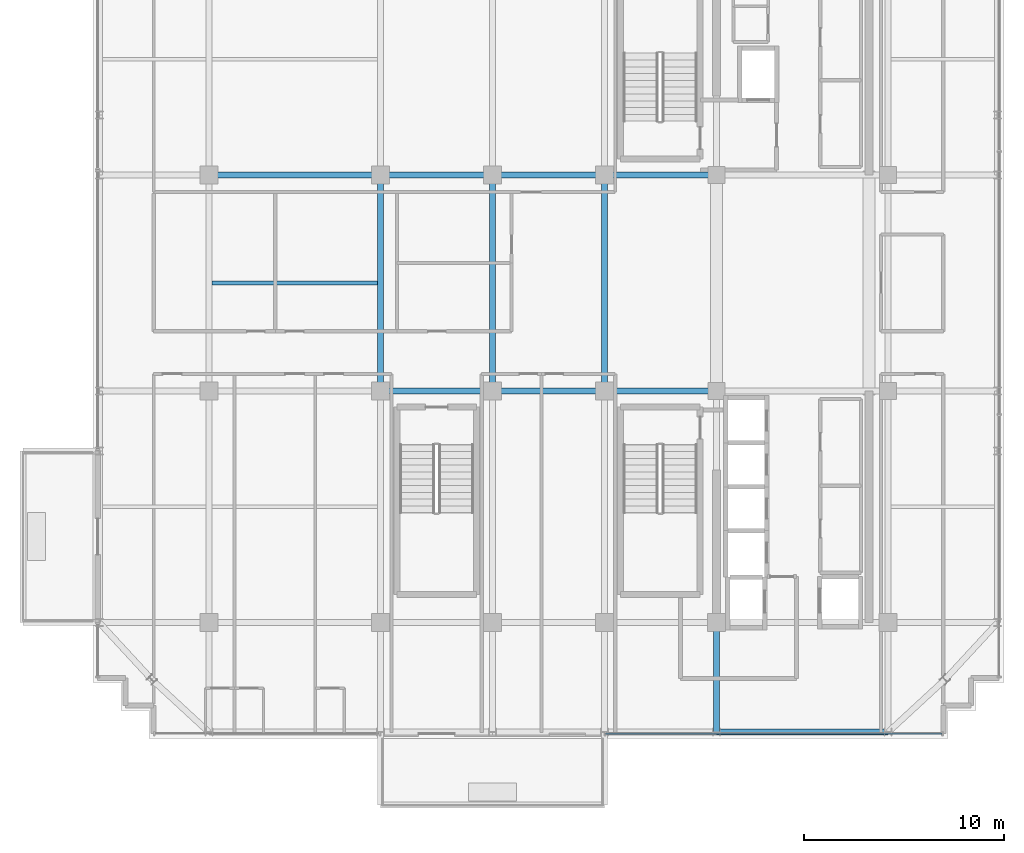
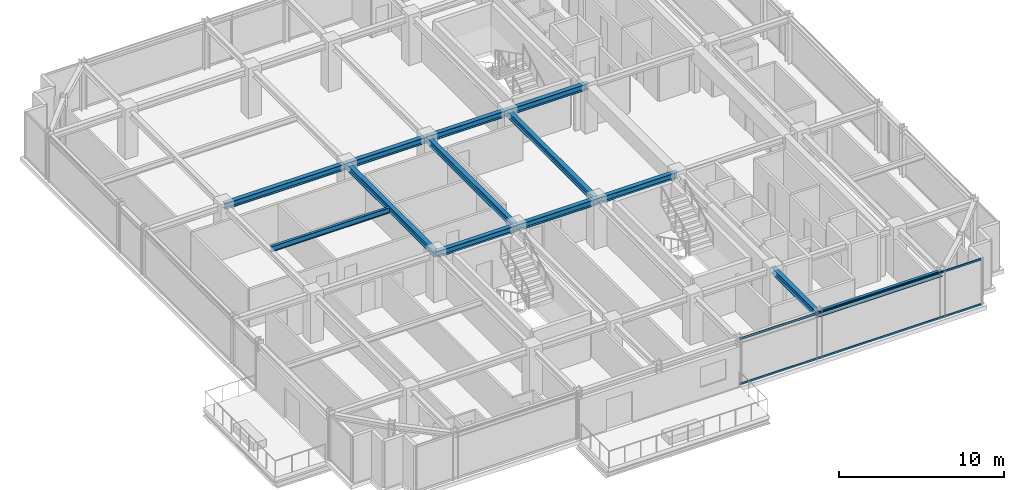
# One storey, part 11 of 31: 13 beams, 2 members, 1 element without a shape of its own.
"""IFC4 building model written with IfcOpenShell, lengths in metres."""

import ifcopenshell
import ifcopenshell.guid

model = None  # the IFC model being written
_history = None  # IfcOwnerHistory: only IFC2X3 demands one
_inside = {}  # id of a spatial element -> (the spatial element, [elements in it])
_under = {}  # id of a project, library or spatial element -> (it, [spatial elements below it])
_declared = {}  # id of a project -> (the project, [libraries it declares])
_typed = {}  # id of a type object -> (the type object, [elements of that type])
_made_of = {}  # id of a material, layer set ... -> (it, [elements and type objects made of it])


def new_model(schema):
    """Start an empty IFC model of exactly this schema.

    Asked for "IFC4X3", IfcOpenShell would pick the latest addendum, in which some entities
    have other attributes; the version numbers below select the first issue.
    IFC2X3 requires an IfcOwnerHistory on every rooted entity: one is made here for all.
    """
    global model, _history
    if schema == "IFC4X3":
        model = ifcopenshell.file(schema_version=(4, 3, 0, 0))
    else:
        model = ifcopenshell.file(schema=schema)
    _inside.clear()
    _under.clear()
    _declared.clear()
    _typed.clear()
    _made_of.clear()
    _history = None
    if model.schema == "IFC2X3":
        org = make("IfcOrganization", Name="unknown")
        user = make(
            "IfcPersonAndOrganization",
            ThePerson=make("IfcPerson", FamilyName="unknown"),
            TheOrganization=org,
        )
        app = make(
            "IfcApplication",
            ApplicationDeveloper=org,
            Version="unknown",
            ApplicationFullName="unknown",
            ApplicationIdentifier="unknown",
        )
        _history = make(
            "IfcOwnerHistory",
            OwningUser=user,
            OwningApplication=app,
            ChangeAction="ADDED",
            CreationDate=0,
        )
    return model


def make(cls, **values):
    """One entity of the class cls with the attributes given. An attribute that is None is left unset."""
    return model.create_entity(
        cls, **{name: value for name, value in values.items() if value is not None}
    )


def rooted(cls, **values):
    """An entity with a GlobalId (a new one), such as an element, a storey or a relation."""
    return make(cls, GlobalId=ifcopenshell.guid.new(), OwnerHistory=_history, **values)


def si_unit(unit_type, name, prefix=None):
    """IfcSIUnit, for example si_unit("LENGTHUNIT", "METRE", prefix="MILLI")."""
    return make("IfcSIUnit", UnitType=unit_type, Prefix=prefix, Name=name)


def assignment(units):
    """IfcUnitAssignment: the units of a project."""
    return None if units is None else make("IfcUnitAssignment", Units=units)


def point(xyz):
    """IfcCartesianPoint."""
    return None if xyz is None else make("IfcCartesianPoint", Coordinates=xyz)


def direction(xyz):
    """IfcDirection."""
    return None if xyz is None else make("IfcDirection", DirectionRatios=xyz)


def frame(location, z_axis=None, x_axis=None):
    """IfcAxis2Placement3D, a coordinate frame: its origin and axes. An axis left out is left unset."""
    return make(
        "IfcAxis2Placement3D",
        Location=point(location),
        Axis=direction(z_axis),
        RefDirection=direction(x_axis),
    )


def frame_2d(location, x_axis=None):
    """IfcAxis2Placement2D, a coordinate frame in the plane: its origin and x axis."""
    return make(
        "IfcAxis2Placement2D", Location=point(location), RefDirection=direction(x_axis)
    )


def origin():
    """The frame at (0, 0, 0) with its axes left unset."""
    return frame((0.0, 0.0, 0.0))


def origin_2d():
    """The frame at (0, 0) in the plane with its x axis left unset."""
    return frame_2d((0.0, 0.0))


def place(relative_to, where):
    """IfcLocalPlacement: puts the frame where relative to a parent placement (None: the world)."""
    return make(
        "IfcLocalPlacement", PlacementRelTo=relative_to, RelativePlacement=where
    )


def context(
    kind, dimensions, precision=None, world=None, true_north=None, identifier=None
):
    """IfcGeometricRepresentationContext, for example the 3D "Model" context."""
    return make(
        "IfcGeometricRepresentationContext",
        ContextIdentifier=identifier,
        ContextType=kind,
        CoordinateSpaceDimension=dimensions,
        Precision=precision,
        WorldCoordinateSystem=world,
        TrueNorth=true_north,
    )


def subcontext(parent, identifier, kind, view, scale=None):
    """IfcGeometricRepresentationSubContext, for example "Body" below "Model"."""
    return make(
        "IfcGeometricRepresentationSubContext",
        ContextIdentifier=identifier,
        ContextType=kind,
        ParentContext=parent,
        TargetScale=scale,
        TargetView=view,
    )


def project(units=None, contexts=None):
    """IfcProject with its units and contexts."""
    return rooted(
        "IfcProject",
        Name="project",
        RepresentationContexts=contexts,
        UnitsInContext=assignment(units),
    )


def spatial(cls, under=None, at=None, **own):
    """A site, building, storey or space (cls), placed at a placement, below another one or the project."""
    s = rooted(cls, ObjectPlacement=at, **own)
    if under is not None:
        _under.setdefault(under.id(), (under, []))[1].append(s)
    return s


def profile(cls, at=None, kind="AREA", **sizes):
    """A parametric profile (cls). Its sizes go by their IFC names, for example OverallWidth=200.0."""
    return make(cls, ProfileType=kind, Position=at, **sizes)


def hollow_rectangle(**sizes):
    """IfcRectangleHollowProfileDef."""
    return profile("IfcRectangleHollowProfileDef", **sizes)


def i_section(**sizes):
    """IfcIShapeProfileDef."""
    return profile("IfcIShapeProfileDef", **sizes)


def extrude(swept, where, along, depth):
    """IfcExtrudedAreaSolid: the profile swept, set in the frame where, extruded along a direction by depth."""
    return make(
        "IfcExtrudedAreaSolid",
        SweptArea=swept,
        Position=where,
        ExtrudedDirection=direction(along),
        Depth=depth,
    )


def shape(context_of_items, identifier, shape_type, items):
    """IfcShapeRepresentation: the items that make up one representation, for example the "Body"."""
    return make(
        "IfcShapeRepresentation",
        ContextOfItems=context_of_items,
        RepresentationIdentifier=identifier,
        RepresentationType=shape_type,
        Items=items,
    )


def source(mapping_origin, context_of_items, identifier, shape_type, items):
    """IfcRepresentationMap: a shape defined once, which mapped items show again and again."""
    return make(
        "IfcRepresentationMap",
        MappingOrigin=mapping_origin,
        MappedRepresentation=shape(context_of_items, identifier, shape_type, items),
    )


def transform(
    local_origin,
    x_axis=None,
    y_axis=None,
    z_axis=None,
    scale=None,
    scale2=None,
    scale3=None,
    uniform=True,
):
    """IfcCartesianTransformationOperator3D, or its non-uniform kind. x_axis, y_axis, z_axis: its Axis1, 2, 3."""
    if uniform:
        return make(
            "IfcCartesianTransformationOperator3D",
            Axis1=direction(x_axis),
            Axis2=direction(y_axis),
            LocalOrigin=point(local_origin),
            Scale=scale,
            Axis3=direction(z_axis),
        )
    return make(
        "IfcCartesianTransformationOperator3DnonUniform",
        Axis1=direction(x_axis),
        Axis2=direction(y_axis),
        LocalOrigin=point(local_origin),
        Scale=scale,
        Axis3=direction(z_axis),
        Scale2=scale2,
        Scale3=scale3,
    )


def mapped(mapping_source, mapping_target):
    """IfcMappedItem: shows the shape of a source again, moved by a transform."""
    return make(
        "IfcMappedItem", MappingSource=mapping_source, MappingTarget=mapping_target
    )


def material(Name=None, Category=None):
    """IfcMaterial."""
    return make("IfcMaterial", Name=Name, Category=Category)


def material_profile(
    of_material, cross_section, Name=None, Category=None, Priority=None
):
    """IfcMaterialProfile: a cross section and its material."""
    return make(
        "IfcMaterialProfile",
        Name=Name,
        Material=of_material,
        Profile=cross_section,
        Priority=Priority,
        Category=Category,
    )


def profile_set(profiles, Name=None, composite=None):
    """IfcMaterialProfileSet."""
    return make(
        "IfcMaterialProfileSet",
        Name=Name,
        MaterialProfiles=profiles,
        CompositeProfile=composite,
    )


def made_of(thing, what):
    """Note that an element or type object is made of a material, layer set ...; save() writes the relation."""
    if what is not None:
        _made_of.setdefault(what.id(), (what, []))[1].append(thing)
    return thing


def type_object(cls, material=None, **own):
    """A type object (cls), such as IfcWallType, which elements share."""
    return made_of(rooted(cls, **own), material)


def element(
    cls,
    number,
    at=None,
    inside=None,
    cuts=None,
    type_object=None,
    material=None,
    context=None,
    identifier="Body",
    shape_type=None,
    held_by="IfcProductDefinitionShape",
    body=None,
    shapes=None,
    **own,
):
    """One element of the class cls, such as IfcWall. Its Tag is "e" and its number.

    at: its placement. inside: the storey or other place that contains it. cuts: it is an
    opening in that element (IfcRelVoidsElement). A single representation is given by context,
    identifier, shape_type and body (its items); several are given by shapes. held_by: the class
    of the entity that holds the representations. save() writes the other relations.
    """
    e = rooted(cls, Tag="e%d" % number, ObjectPlacement=at, **own)
    if body is not None:
        shapes = [shape(context, identifier, shape_type, body)]
    if shapes is not None:
        e.Representation = make(held_by, Representations=shapes)
    if inside is not None:
        _inside.setdefault(inside.id(), (inside, []))[1].append(e)
    if cuts is not None:
        rooted(
            "IfcRelVoidsElement", RelatingBuildingElement=cuts, RelatedOpeningElement=e
        )
    if type_object is not None:
        _typed.setdefault(type_object.id(), (type_object, []))[1].append(e)
    return made_of(e, material)


def aggregate(whole, parts):
    """IfcRelAggregates: a whole, such as a stair, and the parts it consists of."""
    return rooted("IfcRelAggregates", RelatingObject=whole, RelatedObjects=parts)


def save(model, path):
    """Write the relations noted so far, then the file.

    IfcRelAggregates (storeys below a building ...), IfcRelContainedInSpatialStructure (elements
    in a storey), IfcRelDefinesByType, IfcRelAssociatesMaterial and IfcRelDeclares: one each for
    every whole, place, type object, material and project.
    """
    for whole, parts in _under.values():
        aggregate(whole, parts)
    for where, things in _inside.values():
        rooted(
            "IfcRelContainedInSpatialStructure",
            RelatedElements=things,
            RelatingStructure=where,
        )
    for kind, things in _typed.values():
        rooted("IfcRelDefinesByType", RelatedObjects=things, RelatingType=kind)
    for what, things in _made_of.values():
        rooted("IfcRelAssociatesMaterial", RelatedObjects=things, RelatingMaterial=what)
    for by, libraries in _declared.values():
        rooted("IfcRelDeclares", RelatingContext=by, RelatedDefinitions=libraries)
    model.write(path)


model = new_model("IFC4")

# Units and contexts
model_context = context("Model", 3, precision=1e-05, world=origin(), true_north=direction((0.0, 1.0)))
body_context = subcontext(model_context, "Body", "Model", "MODEL_VIEW")
ifc_project = project(units=[si_unit("LENGTHUNIT", "METRE"), si_unit("AREAUNIT", "SQUARE_METRE"), si_unit("VOLUMEUNIT", "CUBIC_METRE"), si_unit("PLANEANGLEUNIT", "RADIAN"), si_unit("MASSUNIT", "GRAM", prefix="KILO")], contexts=[model_context])

# Site, building, storey
site_placement = place(None, origin())
site = spatial("IfcSite", under=ifc_project, at=site_placement, CompositionType="ELEMENT")
building_placement = place(site_placement, origin())
building = spatial("IfcBuilding", under=site, at=building_placement, Name="Nahalor Promenade Grand Hotel", CompositionType="ELEMENT")
storey_placement = place(building_placement, frame((0.0, 0.0, 277.550048828125)))
storey = spatial("IfcBuildingStorey", under=building, at=storey_placement, Name="L71", CompositionType="ELEMENT", Elevation=277.550048828125)

# Beams
ifc_material_1 = material(Name="Steel S355JR", Category="steel")
ifc_material_profile_1 = material_profile(ifc_material_1, i_section(OverallWidth=0.3, OverallDepth=0.45, WebThickness=0.014, FlangeThickness=0.026, at=origin_2d()), Name="HEB 450")
ifc_profile_set_1 = profile_set([ifc_material_profile_1], Name="Steel S355JR")
beam_type_1 = type_object("IfcBeamType", Name="Beam-Girder-HEB450", PredefinedType="BEAM", material=ifc_profile_set_1)
shared_shape_1 = source(origin(), body_context, "Body", "SweptSolid", [
    extrude(i_section(OverallWidth=0.3, OverallDepth=0.45, WebThickness=0.014, FlangeThickness=0.026, at=origin_2d()), origin(), (0.0, 0.0, 1.0), 8.60009765625),
])
beam_1_placement = place(storey_placement, frame((-17.0, 5.39990234375, 3.224853515625), z_axis=(1.0, 0.0, 0.0), x_axis=(0.0, 1.0, 0.0)))
element("IfcBeam", 1, at=beam_1_placement, inside=storey, type_object=beam_type_1, Name="BM-L71-GX-2-1", PredefinedType="BEAM", context=body_context, shape_type="MappedRepresentation", body=[
    mapped(shared_shape_1, transform((0.0, 0.0, 0.0), scale=1.0)),
])
shared_shape_2 = source(origin(), body_context, "Body", "SweptSolid", [
    extrude(i_section(OverallWidth=0.3, OverallDepth=0.45, WebThickness=0.014, FlangeThickness=0.026, at=origin_2d()), origin(), (0.0, 0.0, 1.0), 5.599853515625),
])
for number, where, z_axis, x_axis, name in (
    (2, (-8.39990234375, -5.39990234375, 3.224853515625), (1.0, 0.0, 0.0), (0.0, 1.0, 0.0), "BM-L71-GX-1-2"),
    (3, (2.800048828125, -5.39990234375, 3.224853515625), (1.0, 0.0, 0.0), (0.0, 1.0, 0.0), "BM-L71-GX-1-4"),
    (4, (-8.39990234375, 5.39990234375, 3.224853515625), (1.0, 0.0, 0.0), (0.0, 1.0, 0.0), "BM-L71-GX-2-2"),
    (5, (2.800048828125, 5.39990234375, 3.224853515625), (1.0, 0.0, 0.0), (0.0, 1.0, 0.0), "BM-L71-GX-2-4"),
):
    element("IfcBeam", number, at=place(storey_placement, frame(where, z_axis=z_axis, x_axis=x_axis)), inside=storey, type_object=beam_type_1, Name=name, PredefinedType="BEAM", context=body_context, shape_type="MappedRepresentation", body=[
        mapped(shared_shape_2, transform((0.0, 0.0, 0.0), scale=1.0)),
    ])
shared_shape_3 = source(origin(), body_context, "Body", "SweptSolid", [
    extrude(i_section(OverallWidth=0.3, OverallDepth=0.45, WebThickness=0.014, FlangeThickness=0.026, at=origin_2d()), origin(), (0.0, 0.0, 1.0), 5.60009765625),
])
for number, where, z_axis, x_axis, name in (
    (6, (-2.800048828125, -5.39990234375, 3.224853515625), (1.0, 0.0, 0.0), (0.0, 1.0, 0.0), "BM-L71-GX-1-3"),
    (7, (-2.800048828125, 5.39990234375, 3.224853515625), (1.0, 0.0, 0.0), (0.0, 1.0, 0.0), "BM-L71-GX-2-3"),
):
    element("IfcBeam", number, at=place(storey_placement, frame(where, z_axis=z_axis, x_axis=x_axis)), inside=storey, type_object=beam_type_1, Name=name, PredefinedType="BEAM", context=body_context, shape_type="MappedRepresentation", body=[
        mapped(shared_shape_3, transform((0.0, 0.0, 0.0), scale=1.0)),
    ])
shared_shape_4 = source(origin(), body_context, "Body", "SweptSolid", [
    extrude(i_section(OverallWidth=0.3, OverallDepth=0.45, WebThickness=0.014, FlangeThickness=0.026, at=origin_2d()), origin(), (0.0, 0.0, 1.0), 10.7998046875),
])
for number, where, z_axis, x_axis, name in (
    (8, (-8.39990234375, -5.39990234375, 3.224853515625), (0.0, 1.0, 0.0), (-1.0, 0.0, 0.0), "BM-L71-GY-1-2"),
    (9, (-2.800048828125, -5.39990234375, 3.224853515625), (0.0, 1.0, 0.0), (-1.0, 0.0, 0.0), "BM-L71-GY-2-2"),
    (10, (2.800048828125, -5.39990234375, 3.224853515625), (0.0, 1.0, 0.0), (-1.0, 0.0, 0.0), "BM-L71-GY-3-2"),
):
    element("IfcBeam", number, at=place(storey_placement, frame(where, z_axis=z_axis, x_axis=x_axis)), inside=storey, type_object=beam_type_1, Name=name, PredefinedType="BEAM", context=body_context, shape_type="MappedRepresentation", body=[
        mapped(shared_shape_4, transform((0.0, 0.0, 0.0), scale=1.0)),
    ])
ifc_material_profile_2 = material_profile(ifc_material_1, i_section(OverallWidth=0.18, OverallDepth=0.4, WebThickness=0.0086, FlangeThickness=0.0135, at=origin_2d()), Name="IPE 400")
ifc_profile_set_2 = profile_set([ifc_material_profile_2], Name="Steel S355JR")
beam_type_2 = type_object("IfcBeamType", Name="Beam-Joist-IPE400", PredefinedType="JOIST", material=ifc_profile_set_2)
shared_shape_5 = source(origin(), body_context, "Body", "SweptSolid", [
    extrude(i_section(OverallWidth=0.18, OverallDepth=0.4, WebThickness=0.0086, FlangeThickness=0.0135, at=origin_2d()), origin(), (0.0, 0.0, 1.0), 8.300048828125),
])
beam_2_placement = place(storey_placement, frame((-16.85009765625, 0.0, 3.25), z_axis=(1.0, 0.0, 0.0), x_axis=(0.0, 1.0, 0.0)))
element("IfcBeam", 11, at=beam_2_placement, inside=storey, type_object=beam_type_2, Name="BM-L71-JSC-0", PredefinedType="JOIST", context=body_context, shape_type="MappedRepresentation", body=[
    mapped(shared_shape_5, transform((0.0, 0.0, 0.0), scale=1.0)),
])
shared_shape_6 = source(origin(), body_context, "Body", "SweptSolid", [
    extrude(i_section(OverallWidth=0.3, OverallDepth=0.45, WebThickness=0.014, FlangeThickness=0.026, at=origin_2d()), origin(), (0.0, 0.0, 1.0), 5.47998046875),
])
beam_3_placement = place(storey_placement, frame((8.39990234375, -22.47998046875, 3.224853515625), z_axis=(0.0, 1.0, 0.0), x_axis=(-1.0, 0.0, 0.0)))
element("IfcBeam", 12, at=beam_3_placement, inside=storey, type_object=beam_type_1, Name="BM-L71-GY-4-0", PredefinedType="BEAM", context=body_context, shape_type="MappedRepresentation", body=[
    mapped(shared_shape_6, transform((0.0, 0.0, 0.0), scale=1.0)),
])
ifc_material_profile_3 = material_profile(ifc_material_1, i_section(OverallWidth=0.3, OverallDepth=0.36, WebThickness=0.0125, FlangeThickness=0.0225, at=origin_2d()), Name="HEB 360")
ifc_profile_set_3 = profile_set([ifc_material_profile_3], Name="Steel S355JR")
beam_type_3 = type_object("IfcBeamType", Name="Beam-Spandrel-HEB360", PredefinedType="SPANDREL", material=ifc_profile_set_3)
shared_shape_7 = source(origin(), body_context, "Body", "SweptSolid", [
    extrude(i_section(OverallWidth=0.3, OverallDepth=0.36, WebThickness=0.0125, FlangeThickness=0.0225, at=origin_2d()), origin(), (0.0, 0.0, 1.0), 8.60009765625),
])
beam_4_placement = place(storey_placement, frame((8.39990234375, -22.47998046875, 3.27001953125), z_axis=(1.0, 0.0, 0.0), x_axis=(0.0, 1.0, 0.0)))
element("IfcBeam", 13, at=beam_4_placement, inside=storey, type_object=beam_type_3, Name="BM-L71-SP-S-4", PredefinedType="SPANDREL", context=body_context, shape_type="MappedRepresentation", body=[
    mapped(shared_shape_7, transform((0.0, 0.0, 0.0), scale=1.0)),
])

# Curtain wall, members
ifc_material_2 = material(Name="Anodised Bronze Aluminium EN AW-6063 T6", Category="aluminium")
curtain_wall_type = type_object("IfcCurtainWallType", Name="CW2 Typical Hotel Flush Bronze Unitised Curtain Wall", PredefinedType="USERDEFINED", material=ifc_material_2)
curtain_wall_placement = place(storey_placement, origin())
curtain_wall = element("IfcCurtainWall", 14, at=curtain_wall_placement, inside=storey, type_object=curtain_wall_type, Name="L71 Curtain Wall CW-L71-S-3", ObjectType="UNITISED_CURTAIN_WALL", PredefinedType="USERDEFINED")
ifc_material_profile_4 = material_profile(ifc_material_2, hollow_rectangle(XDim=0.065, YDim=0.13, WallThickness=0.004, at=origin_2d()), Name="CWT 65x130x4")
ifc_profile_set_4 = profile_set([ifc_material_profile_4], Name="Anodised Bronze Aluminium EN AW-6063 T6")
member_type = type_object("IfcMemberType", Name="CWT2 Typical Bronze Transom 65x130", PredefinedType="USERDEFINED", material=ifc_profile_set_4)
shared_shape_8 = source(origin(), body_context, "Body", "SweptSolid", [
    extrude(hollow_rectangle(XDim=0.065, YDim=0.13, WallThickness=0.004, at=origin_2d()), origin(), (0.0, 0.0, 1.0), 16.830078125),
])
member_1_placement = place(storey_placement, frame((2.864990234375, -22.56005859375, 0.06494140625), z_axis=(1.0, 0.0, 0.0), x_axis=(0.0, 1.0, 0.0)))
member_1 = element("IfcMember", 15, at=member_1_placement, type_object=member_type, Name="CW-L71-S-3 Transom 0-0", ObjectType="TRANSOM", PredefinedType="USERDEFINED", context=body_context, shape_type="MappedRepresentation", body=[
    mapped(shared_shape_8, transform((0.0, 0.0, 0.0), scale=1.0)),
])
member_2_placement = place(storey_placement, frame((2.864990234375, -22.56005859375, 3.385009765625), z_axis=(1.0, 0.0, 0.0), x_axis=(0.0, 1.0, 0.0)))
member_2 = element("IfcMember", 16, at=member_2_placement, type_object=member_type, Name="CW-L71-S-3 Transom 0-1", ObjectType="TRANSOM", PredefinedType="USERDEFINED", context=body_context, shape_type="MappedRepresentation", body=[
    mapped(shared_shape_8, transform((0.0, 0.0, 0.0), scale=1.0)),
])
aggregate(curtain_wall, [member_1, member_2])

save(model, "model.ifc")
